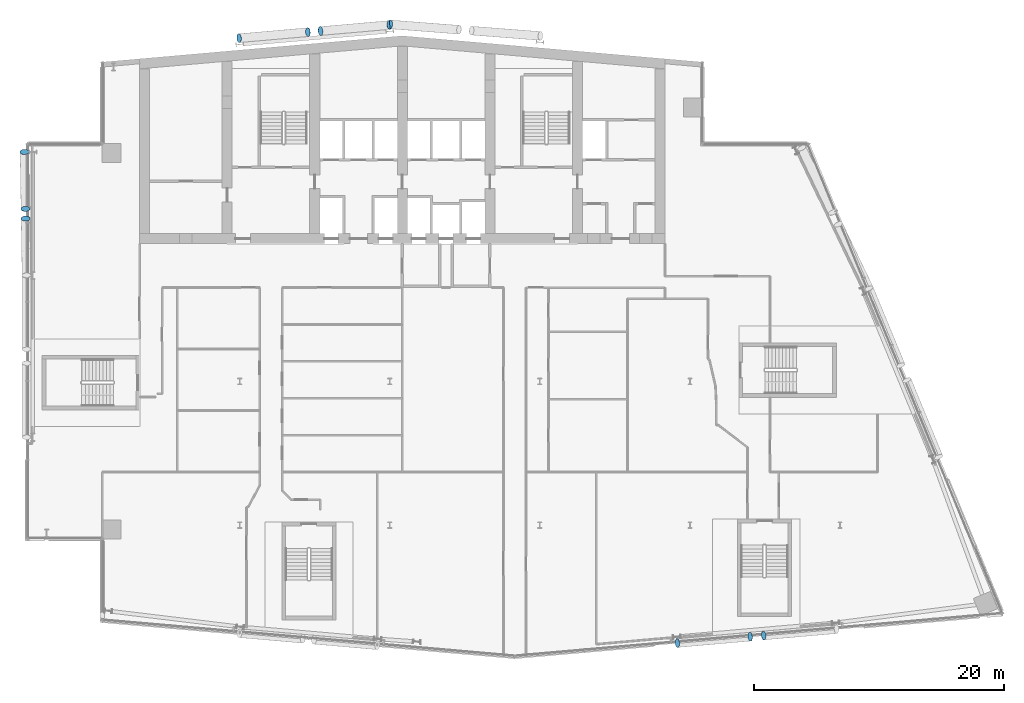
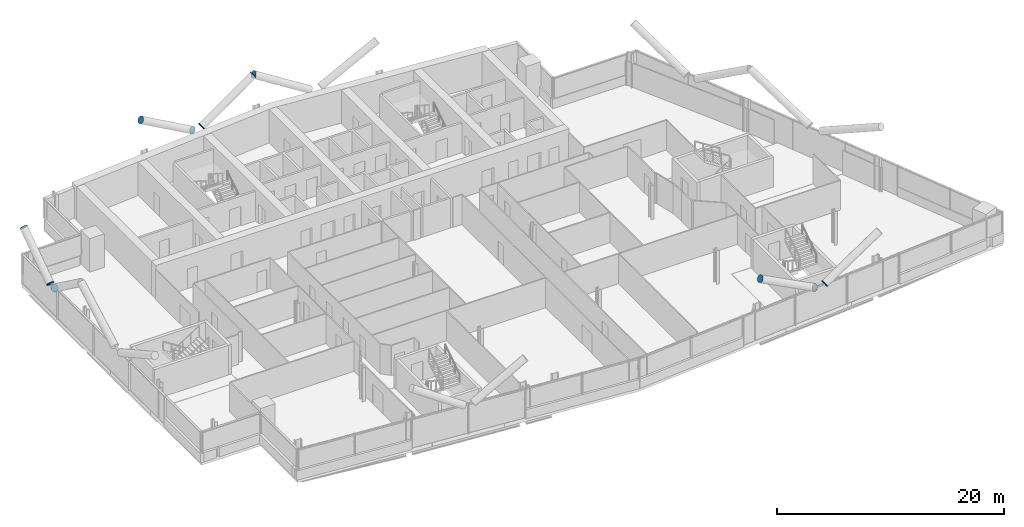
# One storey, part 21 of 26: 11 discrete accessories.
"""IFC4 building model written with IfcOpenShell, lengths in metres."""

from ifc_helpers import new_model, si_unit, direction, frame, origin, origin_2d, place, context, subcontext, project, spatial, circle, extrude, material, material_profile, profile_set, type_object, element, save


model = new_model("IFC4")

# Units and contexts
model_context = context("Model", 3, precision=1e-05, world=origin(), true_north=direction((0.0, 1.0)))
body_context = subcontext(model_context, "Body", "Model", "MODEL_VIEW")
ifc_project = project(units=[si_unit("LENGTHUNIT", "METRE"), si_unit("AREAUNIT", "SQUARE_METRE"), si_unit("VOLUMEUNIT", "CUBIC_METRE"), si_unit("PLANEANGLEUNIT", "RADIAN"), si_unit("MASSUNIT", "GRAM", prefix="KILO")], contexts=[model_context])

# Site, building, storey
site_placement = place(None, origin())
site = spatial("IfcSite", under=ifc_project, at=site_placement, CompositionType="ELEMENT")
building_placement = place(site_placement, origin())
building = spatial("IfcBuilding", under=site, at=building_placement, Name="Wharfspan Tower", CompositionType="ELEMENT")
storey_placement = place(building_placement, frame((0.0, 0.0, 166.300049)))
storey = spatial("IfcBuildingStorey", under=building, at=storey_placement, Name="L40", CompositionType="ELEMENT", Elevation=166.300049)

# Discrete accessories
ifc_material = material(Name="Steel S460NH", Category="steel")
ifc_material_profile = material_profile(ifc_material, circle(Radius=0.355469, at=origin_2d()))
ifc_profile_set = profile_set([ifc_material_profile], Name="Steel S460NH")
discrete_accessory_type = type_object("IfcDiscreteAccessoryType", Name="End plate CHS 711x36", PredefinedType="BRACKET", material=ifc_profile_set)
for number, where, z_axis, x_axis, name in (
    (1, (65.88916, 2.672852, 3.202637), (0.871847, 0.072654, 0.484359), (-0.083044, 0.996547, -3e-06), "End plate CHS 711x36"),
    (2, (64.821533, 2.579346, 3.202637), (-0.871847, -0.072654, 0.484359), (0.083044, -0.996547, -3e-06), "End plate CHS 711x36"),
    (3, (59.004883, 2.070557, 6.5), (-0.871847, -0.072654, 0.484359), (0.083044, -0.996547, -3e-06), "End plate CHS 711x36"),
    (4, (6.872559, 36.01709, 3.179199), (0.0245, -0.808493, 0.587995), (0.999537, 0.03029, 1e-06), "End plate CHS 711x36"),
):
    element("IfcDiscreteAccessory", number, at=place(storey_placement, frame(where, z_axis=z_axis, x_axis=x_axis)), inside=storey, type_object=discrete_accessory_type, Name=name, PredefinedType="BRACKET", context=body_context, shape_type="SweptSolid", body=[
        extrude(circle(Radius=0.355469, at=origin_2d()), origin(), (0.0, 0.0, 1.0), 0.01001),
    ])
discrete_accessory_placement = place(storey_placement, frame((6.860352, 36.782471, 3.179199), z_axis=(0.0, 0.816968, 0.576683), x_axis=(-1.0, 0.0, 0.0)))
element("IfcDiscreteAccessory", 5, at=discrete_accessory_placement, inside=storey, type_object=discrete_accessory_type, Name="End plate CHS 711x36", PredefinedType="BRACKET", context=body_context, shape_type="SweptSolid", body=[
    extrude(circle(Radius=0.355469, at=origin_2d()), origin(), (0.0, 0.0, 1.0), 0.010254),
])
for number, where, z_axis, x_axis, name in (
    (6, (6.788086, 41.333008, 6.5), (-0.0245, 0.808493, 0.587995), (-0.999537, -0.03029, 1e-06), "End plate CHS 711x36"),
    (7, (30.452881, 51.006348, 3.197998), (0.855186, 0.073302, 0.513112), (-0.085402, 0.996345, 1e-06), "End plate CHS 711x36"),
    (8, (35.956299, 51.487793, 6.5), (0.855186, 0.073302, 0.513112), (-0.085402, 0.996345, 1e-06), "End plate CHS 711x36"),
    (9, (29.459473, 50.919434, 3.197998), (-0.855186, -0.073302, 0.513112), (0.085402, -0.996345, 1e-06), "End plate CHS 711x36"),
    (10, (23.956299, 50.437988, 6.5), (-0.855186, -0.073302, 0.513112), (0.085402, -0.996345, 1e-06), "End plate CHS 711x36"),
    (11, (36.039795, 51.53418, 6.5), (-0.856465, 0.048941, 0.513879), (-0.05705, -0.998372, 0.0), "End plate CHS 711x36"),
):
    element("IfcDiscreteAccessory", number, at=place(storey_placement, frame(where, z_axis=z_axis, x_axis=x_axis)), inside=storey, type_object=discrete_accessory_type, Name=name, PredefinedType="BRACKET", context=body_context, shape_type="SweptSolid", body=[
        extrude(circle(Radius=0.355469, at=origin_2d()), origin(), (0.0, 0.0, 1.0), 0.01001),
    ])

save(model, "model.ifc")
